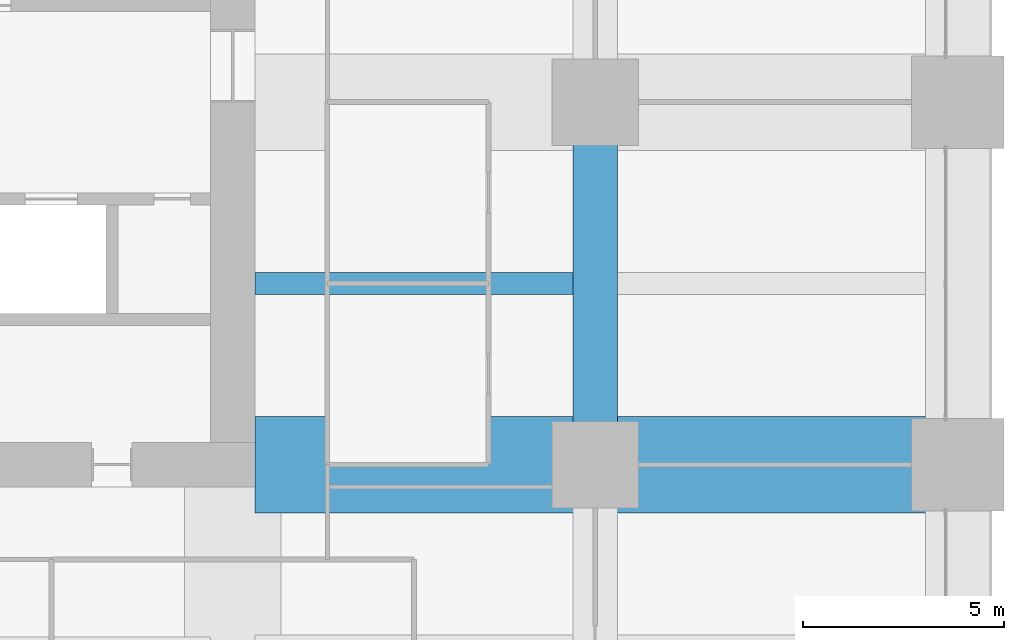
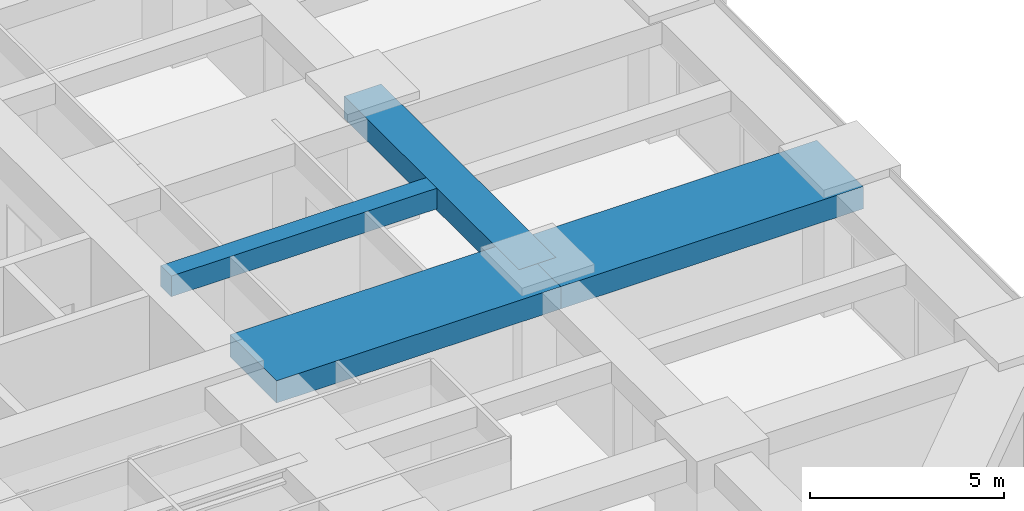
# One storey, part 19 of 43: 4 beams.
"""IFC4 building model written with IfcOpenShell, lengths in metres."""

from ifc_helpers import new_model, si_unit, direction, frame, origin, origin_2d, place, context, subcontext, project, spatial, rectangle, extrude, material, material_profile, profile_set, type_object, element, save


model = new_model("IFC4")

# Units and contexts
model_context = context("Model", 3, precision=1e-05, world=origin(), true_north=direction((0.0, 1.0)))
body_context = subcontext(model_context, "Body", "Model", "MODEL_VIEW")
ifc_project = project(units=[si_unit("LENGTHUNIT", "METRE"), si_unit("AREAUNIT", "SQUARE_METRE"), si_unit("VOLUMEUNIT", "CUBIC_METRE"), si_unit("PLANEANGLEUNIT", "RADIAN"), si_unit("MASSUNIT", "GRAM", prefix="KILO")], contexts=[model_context])

# Site, building, storey
site_placement = place(None, origin())
site = spatial("IfcSite", under=ifc_project, at=site_placement, CompositionType="ELEMENT")
building_placement = place(site_placement, origin())
building = spatial("IfcBuilding", under=site, at=building_placement, Name="Zorevar Civic Tower", CompositionType="ELEMENT")
storey_placement = place(building_placement, frame((0.0, 0.0, 67.800048828125)))
storey = spatial("IfcBuildingStorey", under=building, at=storey_placement, Name="L16", CompositionType="ELEMENT", Elevation=67.800048828125)

# Beams
ifc_material_1 = material(Name="Concrete C50/60", Category="concrete")
ifc_material_profile_1 = material_profile(ifc_material_1, rectangle(XDim=1.10009765625, YDim=0.699951171875, at=origin_2d()), Name="RC 1100x700")
ifc_profile_set_1 = profile_set([ifc_material_profile_1], Name="Concrete C50/60")
beam_type_1 = type_object("IfcBeamType", Name="Beam RC 1100x700", PredefinedType="BEAM", material=ifc_profile_set_1)
beam_1_placement = place(storey_placement, frame((54.0, 18.0, 3.39990234375), z_axis=(0.0, 1.0, 0.0), x_axis=(-1.0, 0.0, 0.0)))
element("IfcBeam", 1, at=beam_1_placement, inside=storey, type_object=beam_type_1, Name="Girder L17", PredefinedType="BEAM", context=body_context, shape_type="SweptSolid", body=[
    extrude(rectangle(XDim=1.10009765625, YDim=0.699951171875, at=origin_2d()), origin(), (0.0, 0.0, 1.0), 9.0),
])
ifc_material_2 = material(Name="Concrete C50/60", Category="concrete")
ifc_material_profile_2 = material_profile(ifc_material_2, rectangle(XDim=2.39990234375, YDim=0.699951171875, at=origin_2d()), Name="RC 2400x700")
ifc_profile_set_2 = profile_set([ifc_material_profile_2], Name="Concrete C50/60")
beam_type_2 = type_object("IfcBeamType", Name="Beam RC 2400x700", PredefinedType="BEAM", material=ifc_profile_set_2)
beam_2_placement = place(storey_placement, frame((45.550048828125, 18.0, 3.39990234375), z_axis=(1.0, 0.0, 0.0), x_axis=(0.0, 1.0, 0.0)))
element("IfcBeam", 2, at=beam_2_placement, inside=storey, type_object=beam_type_2, Name="Girder L17", PredefinedType="BEAM", context=body_context, shape_type="SweptSolid", body=[
    extrude(rectangle(XDim=2.39990234375, YDim=0.699951171875, at=origin_2d()), origin(), (0.0, 0.0, 1.0), 8.449951171875),
])
beam_3_placement = place(storey_placement, frame((54.0, 18.0, 3.39990234375), z_axis=(1.0, 0.0, 0.0), x_axis=(0.0, 1.0, 0.0)))
element("IfcBeam", 3, at=beam_3_placement, inside=storey, type_object=beam_type_2, Name="Girder L17", PredefinedType="BEAM", context=body_context, shape_type="SweptSolid", body=[
    extrude(rectangle(XDim=2.39990234375, YDim=0.699951171875, at=origin_2d()), origin(), (0.0, 0.0, 1.0), 9.0),
])
ifc_material_3 = material(Name="Concrete C50/60", Category="concrete")
ifc_material_profile_3 = material_profile(ifc_material_3, rectangle(XDim=0.550048828125, YDim=0.64990234375, at=origin_2d()), Name="RC 550x650")
ifc_profile_set_3 = profile_set([ifc_material_profile_3], Name="Concrete C50/60")
beam_type_3 = type_object("IfcBeamType", Name="Beam RC 550x650", PredefinedType="BEAM", material=ifc_profile_set_3)
beam_4_placement = place(storey_placement, frame((45.550048828125, 22.5, 3.425048828125), z_axis=(1.0, 0.0, 0.0), x_axis=(0.0, 1.0, 0.0)))
element("IfcBeam", 4, at=beam_4_placement, inside=storey, type_object=beam_type_3, Name="Secondary beam L17", PredefinedType="BEAM", context=body_context, shape_type="SweptSolid", body=[
    extrude(rectangle(XDim=0.550048828125, YDim=0.64990234375, at=origin_2d()), origin(), (0.0, 0.0, 1.0), 7.89990234375),
])

save(model, "model.ifc")
